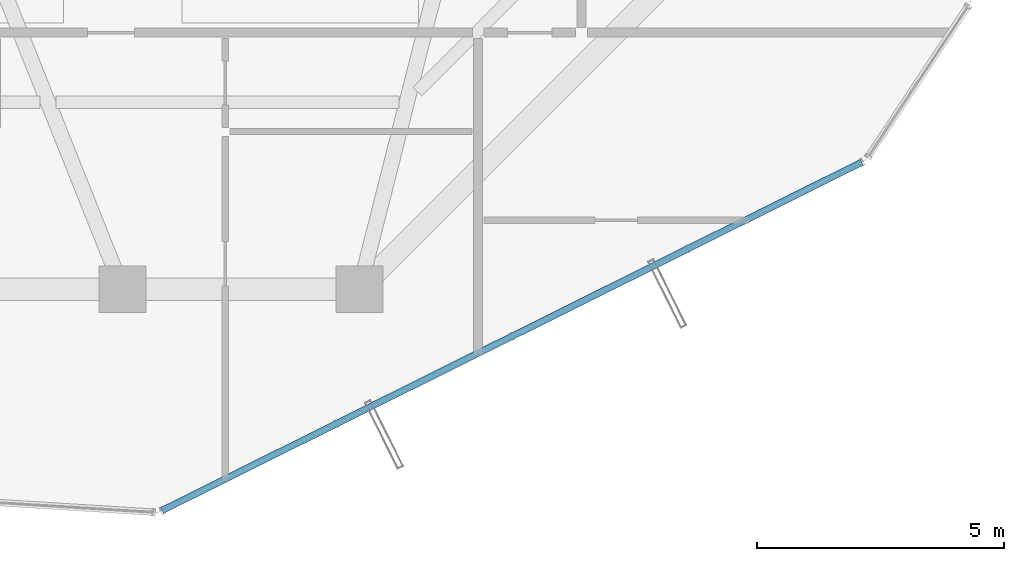
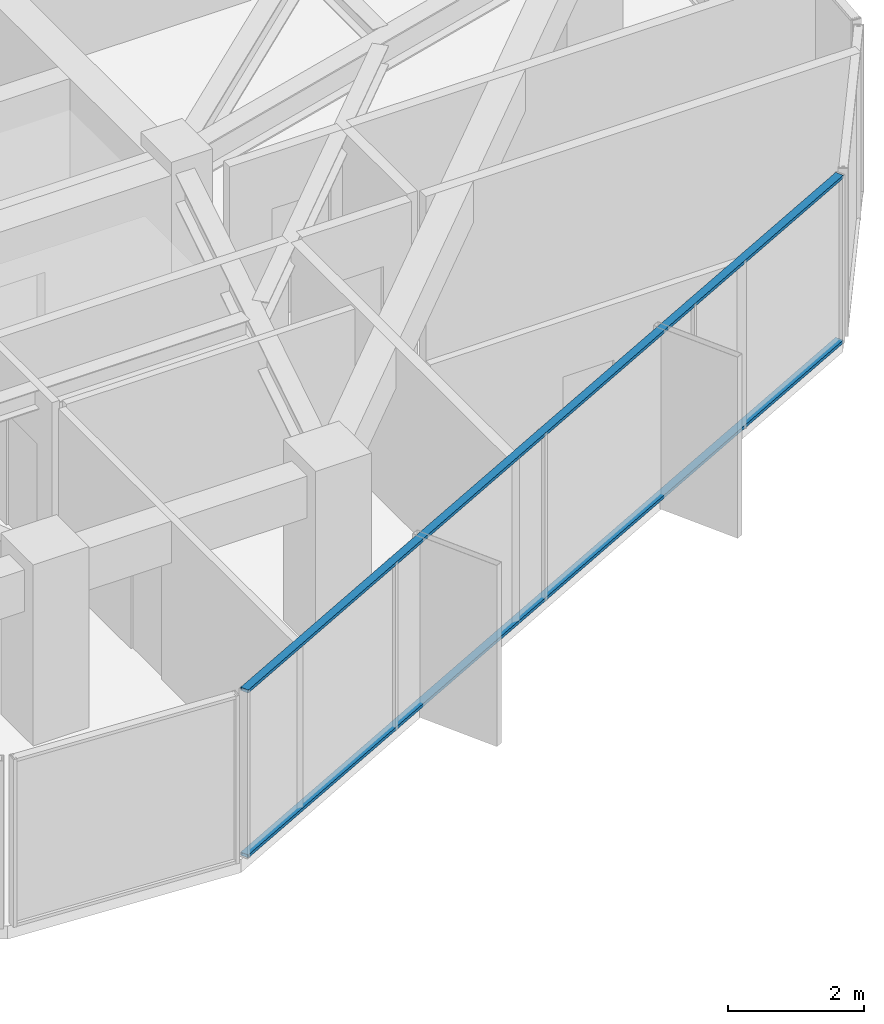
# One storey, part 7 of 29: 2 members, 1 element without a shape of its own.
"""IFC4 building model written with IfcOpenShell, lengths in metres."""

from ifc_helpers import new_model, si_unit, direction, frame, origin, origin_2d, place, context, subcontext, project, spatial, hollow_rectangle, extrude, source, transform, mapped, material, layer, layer_set, material_profile, profile_set, type_object, element, aggregate, save


model = new_model("IFC4")

# Units and contexts
model_context = context("Model", 3, precision=1e-05, world=origin(), true_north=direction((0.0, 1.0)))
body_context = subcontext(model_context, "Body", "Model", "MODEL_VIEW")
ifc_project = project(units=[si_unit("LENGTHUNIT", "METRE"), si_unit("AREAUNIT", "SQUARE_METRE"), si_unit("VOLUMEUNIT", "CUBIC_METRE"), si_unit("PLANEANGLEUNIT", "RADIAN"), si_unit("MASSUNIT", "GRAM", prefix="KILO")], contexts=[model_context])

# Site, building, storey
site_placement = place(None, origin())
site = spatial("IfcSite", under=ifc_project, at=site_placement, CompositionType="ELEMENT")
building_placement = place(site_placement, origin())
building = spatial("IfcBuilding", under=site, at=building_placement, Name="Veraguas Prism Commons", CompositionType="ELEMENT")
storey_placement = place(building_placement, frame((0.0, 0.0, 218.89990234375)))
storey = spatial("IfcBuildingStorey", under=building, at=storey_placement, Name="L62", CompositionType="ELEMENT", Elevation=218.89990234375)

# Curtain wall, members
ifc_material = material(Name="Anodised aluminium EN AW-6063 T6", Category="aluminium")
ifc_layer = layer(ifc_material, 0.14990234375, Name="Unitised Flush Curtain Wall Zone 3", Category="aluminium")
ifc_layer_set = layer_set([ifc_layer], Name="Anodised aluminium EN AW-6063 T6")
curtain_wall_type = type_object("IfcCurtainWallType", Name="Unitised Flush Curtain Wall Zone 3", PredefinedType="NOTDEFINED", material=ifc_layer_set)
curtain_wall_placement = place(storey_placement, origin())
curtain_wall = element("IfcCurtainWall", 1, at=curtain_wall_placement, inside=storey, type_object=curtain_wall_type, Name="Tower Facade Curtain Wall L62-F5", PredefinedType="NOTDEFINED")
ifc_material_profile = material_profile(ifc_material, hollow_rectangle(XDim=0.054931640625, YDim=0.135009765625, WallThickness=0.0029296875, at=origin_2d()), Name="AL55X135X3")
ifc_profile_set = profile_set([ifc_material_profile], Name="Anodised aluminium EN AW-6063 T6")
member_type = type_object("IfcMemberType", Name="Curtain Wall Transom Standard AL 55x135x3", PredefinedType="USERDEFINED", material=ifc_profile_set)
shared_shape = source(origin(), body_context, "Body", "SweptSolid", [
    extrude(hollow_rectangle(XDim=0.054931640625, YDim=0.135009765625, WallThickness=0.0029296875, at=origin_2d()), origin(), (0.0, 0.0, 1.0), 15.842529296875),
])
member_1_placement = place(storey_placement, frame((24.7998046875, 4.615478515625, 0.027587890625), z_axis=(0.895242456092, 0.445579336158, 0.0), x_axis=(0.0, 0.0, 1.0)))
member_1 = element("IfcMember", 2, at=member_1_placement, type_object=member_type, Name="CW-Z3 Transom 1", ObjectType="TRANSOM", PredefinedType="USERDEFINED", context=body_context, shape_type="MappedRepresentation", body=[
    mapped(shared_shape, transform((0.0, 0.0, 0.0), scale=1.0)),
])
member_2_placement = place(storey_placement, frame((24.7998046875, 4.615478515625, 2.987548828125), z_axis=(0.895242456092, 0.445579336158, 0.0), x_axis=(0.0, 0.0, 1.0)))
member_2 = element("IfcMember", 3, at=member_2_placement, type_object=member_type, Name="CW-Z3 Transom 2", ObjectType="TRANSOM", PredefinedType="USERDEFINED", context=body_context, shape_type="MappedRepresentation", body=[
    mapped(shared_shape, transform((0.0, 0.0, 0.0), scale=1.0)),
])
aggregate(curtain_wall, [member_1, member_2])

save(model, "model.ifc")
